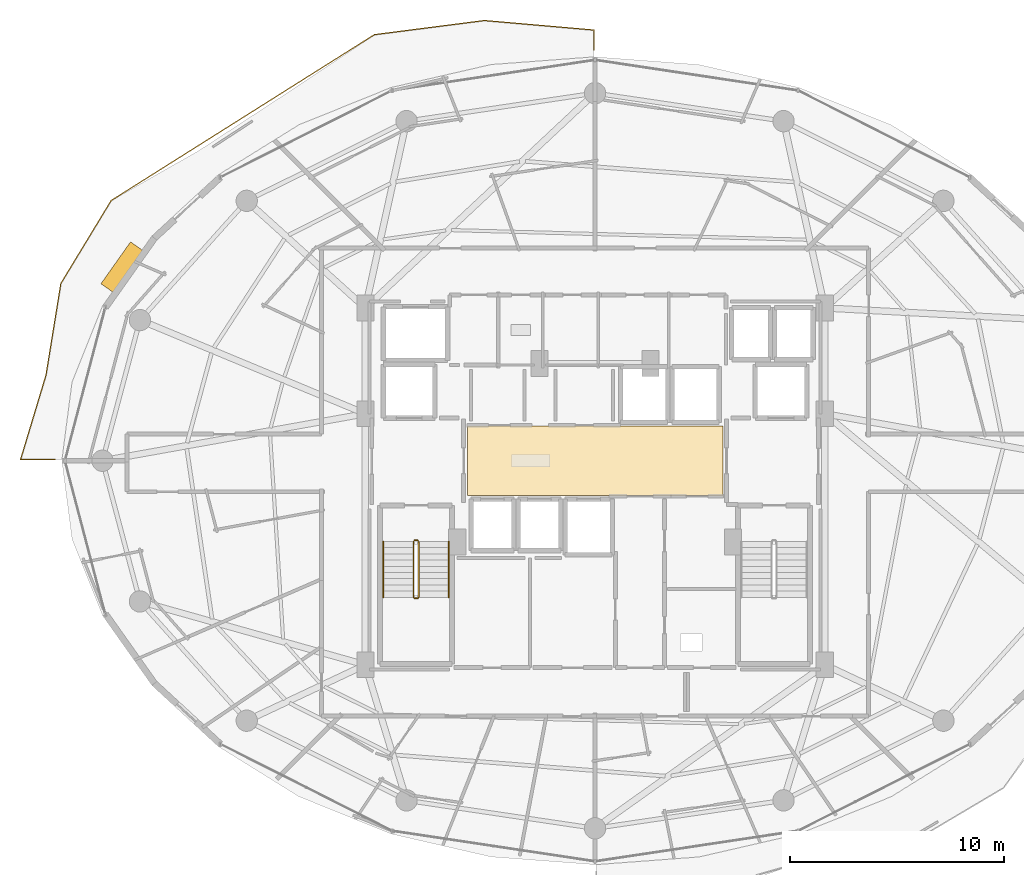
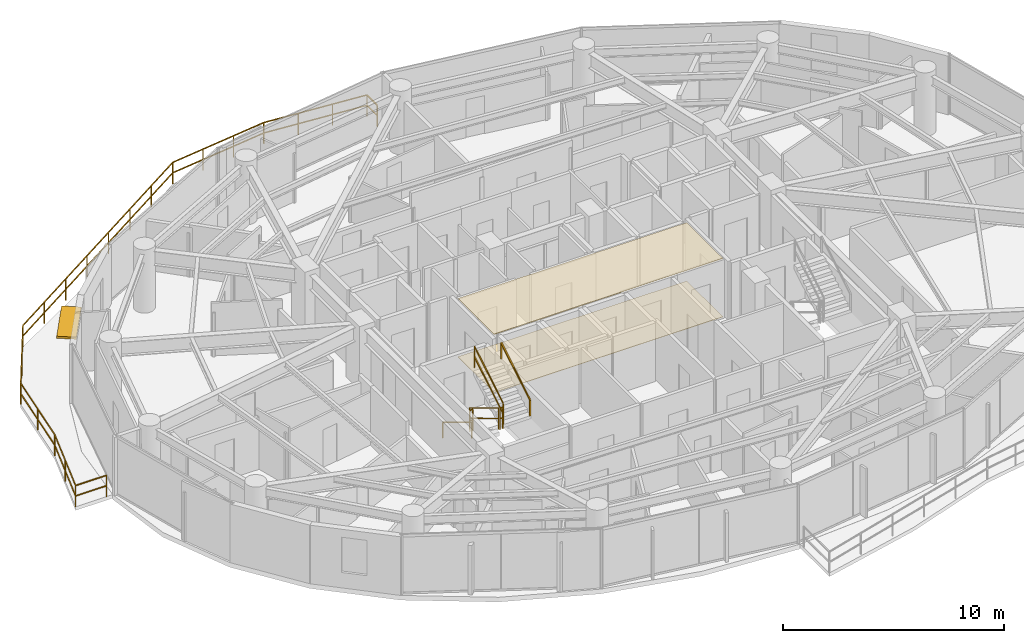
# One storey, part 28 of 31: 8 railings, 2 coverings, 1 shading device.
"""IFC4 building model written with IfcOpenShell, lengths in metres."""

from ifc_helpers import new_model, si_unit, direction, frame, origin, origin_2d, place, context, subcontext, project, spatial, polyline, rectangle, outline, extrude, material, layer, layer_set, type_object, element, save


model = new_model("IFC4")

# Units and contexts
model_context = context("Model", 3, precision=1e-05, world=origin(), true_north=direction((0.0, 1.0)))
body_context = subcontext(model_context, "Body", "Model", "MODEL_VIEW")
ifc_project = project(units=[si_unit("LENGTHUNIT", "METRE"), si_unit("AREAUNIT", "SQUARE_METRE"), si_unit("VOLUMEUNIT", "CUBIC_METRE"), si_unit("PLANEANGLEUNIT", "RADIAN"), si_unit("MASSUNIT", "GRAM", prefix="KILO")], contexts=[model_context])

# Site, building, storey
site_placement = place(None, origin())
site = spatial("IfcSite", under=ifc_project, at=site_placement, CompositionType="ELEMENT")
building_placement = place(site_placement, origin())
building = spatial("IfcBuilding", under=site, at=building_placement, Name="Vorneva Point Tower", CompositionType="ELEMENT")
storey_placement = place(building_placement, frame((0.0, 0.0, 129.10009765625)))
storey = spatial("IfcBuildingStorey", under=building, at=storey_placement, Name="L34", CompositionType="ELEMENT", Elevation=129.10009765625)

# Coverings
ifc_material_1 = material(Name="Perforated acoustic aluminium baffle ceiling", Category="aluminium")
ifc_layer_1 = layer(ifc_material_1, 0.030029296875)
ifc_layer_set_1 = layer_set([ifc_layer_1], Name="Perforated acoustic aluminium baffle ceiling")
covering_type_1 = type_object("IfcCoveringType", Name="COV-CEIL-BAF", PredefinedType="CEILING", material=ifc_layer_set_1)
covering_1_placement = place(storey_placement, frame((0.0, 0.0, 3.2099609375)))
element("IfcCovering", 1, at=covering_1_placement, inside=storey, type_object=covering_type_1, Name="L34 Lift Lobby Acoustic Baffle Ceiling", PredefinedType="CEILING", context=body_context, shape_type="SweptSolid", body=[
    extrude(outline(polyline([(32.02001953125, 24.3701171875), (43.97998046875, 24.3701171875), (43.97998046875, 27.6298828125), (32.02001953125, 27.6298828125), (32.02001953125, 24.3701171875)])), origin(), (0.0, 0.0, 1.0), 0.034912109375),
])
ifc_material_2 = material(Name="Acoustic wool hospitality carpet", Category="textile")
ifc_layer_2 = layer(ifc_material_2, 0.01806640625)
ifc_layer_set_2 = layer_set([ifc_layer_2], Name="Acoustic wool hospitality carpet")
covering_type_2 = type_object("IfcCoveringType", Name="COV-FLR-CRP", PredefinedType="FLOORING", material=ifc_layer_set_2)
covering_2_placement = place(storey_placement, frame((0.0, 0.0, -0.005126953125)))
element("IfcCovering", 2, at=covering_2_placement, inside=storey, type_object=covering_type_2, Name="L34 Lift Lobby Floor Finish", PredefinedType="FLOORING", context=body_context, shape_type="SweptSolid", body=[
    extrude(outline(polyline([(32.02001953125, 24.3701171875), (43.97998046875, 24.3701171875), (43.97998046875, 27.6298828125), (32.02001953125, 27.6298828125), (32.02001953125, 24.3701171875)])), origin(), (0.0, 0.0, 1.0), 0.02294921875),
])

# Railings
ifc_material_3 = material(Name="Pale anodised aluminium", Category="aluminium")
railing_type_1 = type_object("IfcRailingType", Name="RL-BAL-1200", PredefinedType="BALUSTRADE", material=ifc_material_3)
railing_1_placement = place(storey_placement, frame((11.114990234375, 26.050048828125, 0.0)))
element("IfcRailing", 3, at=railing_1_placement, inside=storey, type_object=railing_type_1, Name="L34 Wave Balcony Balustrade NW.1", PredefinedType="BALUSTRADE", context=body_context, shape_type="SweptSolid", body=[
    extrude(rectangle(XDim=0.048095703125, YDim=0.048095703125, at=origin_2d()), frame((0.0, 0.0, 1.17578125), z_axis=(1.0, 0.0, 0.0), x_axis=(0.0, 1.0, 0.0)), (0.0, 0.0, 1.0), 1.618896484375),
    extrude(rectangle(XDim=0.048095703125, YDim=0.048095703125, at=origin_2d()), frame((0.0, 0.0, 0.60009765625), z_axis=(1.0, 0.0, 0.0), x_axis=(0.0, 1.0, 0.0)), (0.0, 0.0, 1.0), 1.618896484375),
    extrude(rectangle(XDim=0.0419921875, YDim=0.0419921875, at=origin_2d()), origin(), (0.0, 0.0, 1.0), 1.15185546875),
    extrude(rectangle(XDim=0.0419921875, YDim=0.0419921875, at=origin_2d()), frame((1.618896484375, 0.0, 0.0)), (0.0, 0.0, 1.0), 1.15185546875),
])
railing_2_placement = place(storey_placement, frame((37.949951171875, 45.21728515625, 0.0)))
element("IfcRailing", 4, at=railing_2_placement, inside=storey, type_object=railing_type_1, Name="L34 Wave Balcony Balustrade NW.2", PredefinedType="BALUSTRADE", context=body_context, shape_type="SweptSolid", body=[
    extrude(rectangle(XDim=0.048095703125, YDim=0.048095703125, at=origin_2d()), frame((0.0, 0.0, 1.17578125), z_axis=(0.0, 1.0, 0.0), x_axis=(-1.0, 0.0, 0.0)), (0.0, 0.0, 1.0), 0.93701171875),
    extrude(rectangle(XDim=0.048095703125, YDim=0.048095703125, at=origin_2d()), frame((0.0, 0.0, 0.60009765625), z_axis=(0.0, 1.0, 0.0), x_axis=(-1.0, 0.0, 0.0)), (0.0, 0.0, 1.0), 0.93701171875),
    extrude(rectangle(XDim=0.048095703125, YDim=0.048095703125, at=origin_2d()), frame((0.0, 0.93701171875, 1.17578125), z_axis=(-0.996243079237, 0.086600964614, 0.0), x_axis=(-0.086600964614, -0.996243079237, 0.0)), (0.0, 0.0, 1.0), 5.147705078125),
    extrude(rectangle(XDim=0.048095703125, YDim=0.048095703125, at=origin_2d()), frame((0.0, 0.93701171875, 0.60009765625), z_axis=(-0.996243079237, 0.086600964614, 0.0), x_axis=(-0.086600964614, -0.996243079237, 0.0)), (0.0, 0.0, 1.0), 5.147705078125),
    extrude(rectangle(XDim=0.048095703125, YDim=0.048095703125, at=origin_2d()), frame((-5.12841796875, 1.3828125, 1.17578125), z_axis=(-0.991850899775, -0.127404052585, 0.0), x_axis=(0.127404052585, -0.991850899775, 0.0)), (0.0, 0.0, 1.0), 5.189208984375),
    extrude(rectangle(XDim=0.048095703125, YDim=0.048095703125, at=origin_2d()), frame((-5.12841796875, 1.3828125, 0.60009765625), z_axis=(-0.991850899775, -0.127404052585, 0.0), x_axis=(0.127404052585, -0.991850899775, 0.0)), (0.0, 0.0, 1.0), 5.189208984375),
    extrude(rectangle(XDim=0.048095703125, YDim=0.048095703125, at=origin_2d()), frame((-10.275390625, 0.7216796875, 1.17578125), z_axis=(-0.846000083638, -0.533182762742, 0.0), x_axis=(0.533182762742, -0.846000083638, 0.0)), (0.0, 0.0, 1.0), 14.56103515625),
    extrude(rectangle(XDim=0.048095703125, YDim=0.048095703125, at=origin_2d()), frame((-10.275390625, 0.7216796875, 0.60009765625), z_axis=(-0.846000083638, -0.533182762742, 0.0), x_axis=(0.533182762742, -0.846000083638, 0.0)), (0.0, 0.0, 1.0), 14.56103515625),
    extrude(rectangle(XDim=0.048095703125, YDim=0.048095703125, at=origin_2d()), frame((-22.593994140625, -7.0419921875, 1.17578125), z_axis=(-0.518660697508, -0.854980164016, 0.0), x_axis=(0.854980164016, -0.518660697508, 0.0)), (0.0, 0.0, 1.0), 4.536376953125),
    extrude(rectangle(XDim=0.048095703125, YDim=0.048095703125, at=origin_2d()), frame((-22.593994140625, -7.0419921875, 0.60009765625), z_axis=(-0.518660697508, -0.854980164016, 0.0), x_axis=(0.854980164016, -0.518660697508, 0.0)), (0.0, 0.0, 1.0), 4.536376953125),
    extrude(rectangle(XDim=0.048095703125, YDim=0.048095703125, at=origin_2d()), frame((-24.94677734375, -10.92041015625, 1.17578125), z_axis=(-0.160142185803, -0.987093957193, 0.0), x_axis=(0.987093957193, -0.160142185803, 0.0)), (0.0, 0.0, 1.0), 4.344970703125),
    extrude(rectangle(XDim=0.048095703125, YDim=0.048095703125, at=origin_2d()), frame((-24.94677734375, -10.92041015625, 0.60009765625), z_axis=(-0.160142185803, -0.987093957193, 0.0), x_axis=(0.987093957193, -0.160142185803, 0.0)), (0.0, 0.0, 1.0), 4.344970703125),
    extrude(rectangle(XDim=0.048095703125, YDim=0.048095703125, at=origin_2d()), frame((-25.642578125, -15.209228515625, 1.17578125), z_axis=(-0.28845305272, -0.957494039865, 0.0), x_axis=(0.957494039865, -0.28845305272, 0.0)), (0.0, 0.0, 1.0), 4.1337890625),
    extrude(rectangle(XDim=0.048095703125, YDim=0.048095703125, at=origin_2d()), frame((-25.642578125, -15.209228515625, 0.60009765625), z_axis=(-0.28845305272, -0.957494039865, 0.0), x_axis=(0.957494039865, -0.28845305272, 0.0)), (0.0, 0.0, 1.0), 4.1337890625),
    extrude(rectangle(XDim=0.0419921875, YDim=0.0419921875, at=origin_2d()), origin(), (0.0, 0.0, 1.0), 1.15185546875),
    extrude(rectangle(XDim=0.0419921875, YDim=0.0419921875, at=origin_2d()), frame((0.0, 0.93701171875, 0.0)), (0.0, 0.0, 1.0), 1.15185546875),
    extrude(rectangle(XDim=0.0419921875, YDim=0.0419921875, at=origin_2d()), frame((-1.70947265625, 1.085693359375, 0.0)), (0.0, 0.0, 1.0), 1.15185546875),
    extrude(rectangle(XDim=0.0419921875, YDim=0.0419921875, at=origin_2d()), frame((-3.4189453125, 1.234130859375, 0.0)), (0.0, 0.0, 1.0), 1.15185546875),
    extrude(rectangle(XDim=0.0419921875, YDim=0.0419921875, at=origin_2d()), frame((-5.12841796875, 1.3828125, 0.0)), (0.0, 0.0, 1.0), 1.15185546875),
    extrude(rectangle(XDim=0.0419921875, YDim=0.0419921875, at=origin_2d()), frame((-6.843994140625, 1.162353515625, 0.0)), (0.0, 0.0, 1.0), 1.15185546875),
    extrude(rectangle(XDim=0.0419921875, YDim=0.0419921875, at=origin_2d()), frame((-8.559814453125, 0.942138671875, 0.0)), (0.0, 0.0, 1.0), 1.15185546875),
    extrude(rectangle(XDim=0.0419921875, YDim=0.0419921875, at=origin_2d()), frame((-10.275390625, 0.7216796875, 0.0)), (0.0, 0.0, 1.0), 1.15185546875),
    extrude(rectangle(XDim=0.0419921875, YDim=0.0419921875, at=origin_2d()), frame((-12.03515625, -0.387451171875, 0.0)), (0.0, 0.0, 1.0), 1.15185546875),
    extrude(rectangle(XDim=0.0419921875, YDim=0.0419921875, at=origin_2d()), frame((-13.794921875, -1.49658203125, 0.0)), (0.0, 0.0, 1.0), 1.15185546875),
    extrude(rectangle(XDim=0.0419921875, YDim=0.0419921875, at=origin_2d()), frame((-15.5546875, -2.605712890625, 0.0)), (0.0, 0.0, 1.0), 1.15185546875),
    extrude(rectangle(XDim=0.0419921875, YDim=0.0419921875, at=origin_2d()), frame((-17.314697265625, -3.714599609375, 0.0)), (0.0, 0.0, 1.0), 1.15185546875),
    extrude(rectangle(XDim=0.0419921875, YDim=0.0419921875, at=origin_2d()), frame((-19.074462890625, -4.82373046875, 0.0)), (0.0, 0.0, 1.0), 1.15185546875),
    extrude(rectangle(XDim=0.0419921875, YDim=0.0419921875, at=origin_2d()), frame((-20.834228515625, -5.932861328125, 0.0)), (0.0, 0.0, 1.0), 1.15185546875),
    extrude(rectangle(XDim=0.0419921875, YDim=0.0419921875, at=origin_2d()), frame((-22.593994140625, -7.0419921875, 0.0)), (0.0, 0.0, 1.0), 1.15185546875),
    extrude(rectangle(XDim=0.0419921875, YDim=0.0419921875, at=origin_2d()), frame((-23.7705078125, -8.981201171875, 0.0)), (0.0, 0.0, 1.0), 1.15185546875),
    extrude(rectangle(XDim=0.0419921875, YDim=0.0419921875, at=origin_2d()), frame((-24.94677734375, -10.92041015625, 0.0)), (0.0, 0.0, 1.0), 1.15185546875),
    extrude(rectangle(XDim=0.0419921875, YDim=0.0419921875, at=origin_2d()), frame((-25.294677734375, -13.06494140625, 0.0)), (0.0, 0.0, 1.0), 1.15185546875),
    extrude(rectangle(XDim=0.0419921875, YDim=0.0419921875, at=origin_2d()), frame((-25.642578125, -15.209228515625, 0.0)), (0.0, 0.0, 1.0), 1.15185546875),
    extrude(rectangle(XDim=0.0419921875, YDim=0.0419921875, at=origin_2d()), frame((-26.23876953125, -17.188232421875, 0.0)), (0.0, 0.0, 1.0), 1.15185546875),
    extrude(rectangle(XDim=0.0419921875, YDim=0.0419921875, at=origin_2d()), frame((-26.8349609375, -19.167236328125, 0.0)), (0.0, 0.0, 1.0), 1.15185546875),
])
ifc_material_4 = material(Name="Brushed stainless steel S304", Category="steel")
railing_type_2 = type_object("IfcRailingType", Name="RL-HND-920", PredefinedType="HANDRAIL", material=ifc_material_4)
railing_3_placement = place(storey_placement, frame((28.10009765625, 22.219970703125, 0.1748046875)))
element("IfcRailing", 5, at=railing_3_placement, inside=storey, type_object=railing_type_2, Name="L34 ST1 stair handrail 1", PredefinedType="HANDRAIL", context=body_context, shape_type="SweptSolid", body=[
    extrude(rectangle(XDim=0.048095703125, YDim=0.048095703125, at=origin_2d()), frame((0.0, 0.0, 0.8759765625), z_axis=(0.0, -0.856147343639, 0.516731773728), x_axis=(1.0, 0.0, 0.0)), (0.0, 0.0, 1.0), 3.04833984375),
    extrude(rectangle(XDim=0.0419921875, YDim=0.0419921875, at=origin_2d()), origin(), (0.0, 0.0, 1.0), 0.851806640625),
    extrude(rectangle(XDim=0.0419921875, YDim=0.0419921875, at=origin_2d()), frame((0.0, -2.60986328125, 1.5751953125)), (0.0, 0.0, 1.0), 0.851806640625),
])
railing_4_placement = place(storey_placement, frame((31.14990234375, 19.610107421875, 1.9248046875)))
element("IfcRailing", 6, at=railing_4_placement, inside=storey, type_object=railing_type_2, Name="L34 ST1 stair handrail 2", PredefinedType="HANDRAIL", context=body_context, shape_type="SweptSolid", body=[
    extrude(rectangle(XDim=0.048095703125, YDim=0.048095703125, at=origin_2d()), frame((0.0, 0.0, 0.8759765625), z_axis=(0.0, 0.856147343639, 0.516731773728), x_axis=(-1.0, 0.0, 0.0)), (0.0, 0.0, 1.0), 3.04833984375),
    extrude(rectangle(XDim=0.0419921875, YDim=0.0419921875, at=origin_2d()), origin(), (0.0, 0.0, 1.0), 0.851806640625),
    extrude(rectangle(XDim=0.0419921875, YDim=0.0419921875, at=origin_2d()), frame((0.0, 2.60986328125, 1.5751953125)), (0.0, 0.0, 1.0), 0.851806640625),
])
railing_type_3 = type_object("IfcRailingType", Name="RL-STG-1100", PredefinedType="GUARDRAIL", material=ifc_material_4)
railing_5_placement = place(storey_placement, frame((29.5, 22.219970703125, 0.1748046875)))
element("IfcRailing", 7, at=railing_5_placement, inside=storey, type_object=railing_type_3, Name="L34 ST1 stair guard 1", PredefinedType="GUARDRAIL", context=body_context, shape_type="SweptSolid", body=[
    extrude(rectangle(XDim=0.048095703125, YDim=0.048095703125, at=origin_2d()), frame((0.0, 0.0, 1.17578125), z_axis=(0.0, -0.856147343639, 0.516731773728), x_axis=(1.0, 0.0, 0.0)), (0.0, 0.0, 1.0), 3.04833984375),
    extrude(rectangle(XDim=0.048095703125, YDim=0.048095703125, at=origin_2d()), frame((0.0, 0.0, 0.60009765625), z_axis=(0.0, -0.856147343639, 0.516731773728), x_axis=(1.0, 0.0, 0.0)), (0.0, 0.0, 1.0), 3.04833984375),
    extrude(rectangle(XDim=0.0419921875, YDim=0.0419921875, at=origin_2d()), origin(), (0.0, 0.0, 1.0), 1.15185546875),
    extrude(rectangle(XDim=0.0419921875, YDim=0.0419921875, at=origin_2d()), frame((0.0, -2.60986328125, 1.5751953125)), (0.0, 0.0, 1.0), 1.15185546875),
])
railing_6_placement = place(storey_placement, frame((29.550048828125, 19.56005859375, 1.75)))
element("IfcRailing", 8, at=railing_6_placement, inside=storey, type_object=railing_type_3, Name="L34 ST1 stair guard 2", PredefinedType="GUARDRAIL", context=body_context, shape_type="SweptSolid", body=[
    extrude(rectangle(XDim=0.048095703125, YDim=0.048095703125, at=origin_2d()), frame((0.0, 0.0, 1.17578125), z_axis=(1.0, 0.0, 0.0), x_axis=(0.0, 1.0, 0.0)), (0.0, 0.0, 1.0), 0.14990234375),
    extrude(rectangle(XDim=0.048095703125, YDim=0.048095703125, at=origin_2d()), frame((0.0, 0.0, 0.60009765625), z_axis=(1.0, 0.0, 0.0), x_axis=(0.0, 1.0, 0.0)), (0.0, 0.0, 1.0), 0.14990234375),
    extrude(rectangle(XDim=0.0419921875, YDim=0.0419921875, at=origin_2d()), origin(), (0.0, 0.0, 1.0), 1.15185546875),
    extrude(rectangle(XDim=0.0419921875, YDim=0.0419921875, at=origin_2d()), frame((0.14990234375, 0.0, 0.0)), (0.0, 0.0, 1.0), 1.15185546875),
])
railing_7_placement = place(storey_placement, frame((29.75, 19.610107421875, 1.9248046875)))
element("IfcRailing", 9, at=railing_7_placement, inside=storey, type_object=railing_type_3, Name="L34 ST1 stair guard 3", PredefinedType="GUARDRAIL", context=body_context, shape_type="SweptSolid", body=[
    extrude(rectangle(XDim=0.048095703125, YDim=0.048095703125, at=origin_2d()), frame((0.0, 0.0, 1.17578125), z_axis=(0.0, 0.856147343639, 0.516731773728), x_axis=(-1.0, 0.0, 0.0)), (0.0, 0.0, 1.0), 3.04833984375),
    extrude(rectangle(XDim=0.048095703125, YDim=0.048095703125, at=origin_2d()), frame((0.0, 0.0, 0.60009765625), z_axis=(0.0, 0.856147343639, 0.516731773728), x_axis=(-1.0, 0.0, 0.0)), (0.0, 0.0, 1.0), 3.04833984375),
    extrude(rectangle(XDim=0.0419921875, YDim=0.0419921875, at=origin_2d()), origin(), (0.0, 0.0, 1.0), 1.15185546875),
    extrude(rectangle(XDim=0.0419921875, YDim=0.0419921875, at=origin_2d()), frame((0.0, 2.60986328125, 1.5751953125)), (0.0, 0.0, 1.0), 1.15185546875),
])
railing_8_placement = place(storey_placement, frame((29.550048828125, 22.27001953125, 0.0)))
element("IfcRailing", 10, at=railing_8_placement, inside=storey, type_object=railing_type_3, Name="L34 ST1 stair guard 4", PredefinedType="GUARDRAIL", context=body_context, shape_type="SweptSolid", body=[
    extrude(rectangle(XDim=0.048095703125, YDim=0.048095703125, at=origin_2d()), frame((0.0, 0.0, 1.17578125), z_axis=(1.0, 0.0, 0.0), x_axis=(0.0, 1.0, 0.0)), (0.0, 0.0, 1.0), 0.14990234375),
    extrude(rectangle(XDim=0.048095703125, YDim=0.048095703125, at=origin_2d()), frame((0.0, 0.0, 0.60009765625), z_axis=(1.0, 0.0, 0.0), x_axis=(0.0, 1.0, 0.0)), (0.0, 0.0, 1.0), 0.14990234375),
    extrude(rectangle(XDim=0.0419921875, YDim=0.0419921875, at=origin_2d()), origin(), (0.0, 0.0, 1.0), 1.15185546875),
    extrude(rectangle(XDim=0.0419921875, YDim=0.0419921875, at=origin_2d()), frame((0.14990234375, 0.0, 0.0)), (0.0, 0.0, 1.0), 1.15185546875),
])

# Shading device
shading_device_type = type_object("IfcShadingDeviceType", Name="SHD-AWN-900", PredefinedType="AWNING", material=ifc_material_3)
shading_device_placement = place(storey_placement, frame((15.939697265625, 35.00390625, 2.999755859375), z_axis=(0.0, 0.0, 1.0), x_axis=(-0.577287712086, -0.816540811886, 0.0)))
element("IfcShadingDevice", 11, at=shading_device_placement, inside=storey, type_object=shading_device_type, Name="L34 Pale-Aluminium Brise-Soleil Awning 07", PredefinedType="AWNING", context=body_context, shape_type="SweptSolid", body=[
    extrude(rectangle(XDim=2.39990234375, YDim=0.89990234375, at=origin_2d()), origin(), (0.0, 0.0, 1.0), 0.1201171875),
])

save(model, "model.ifc")
